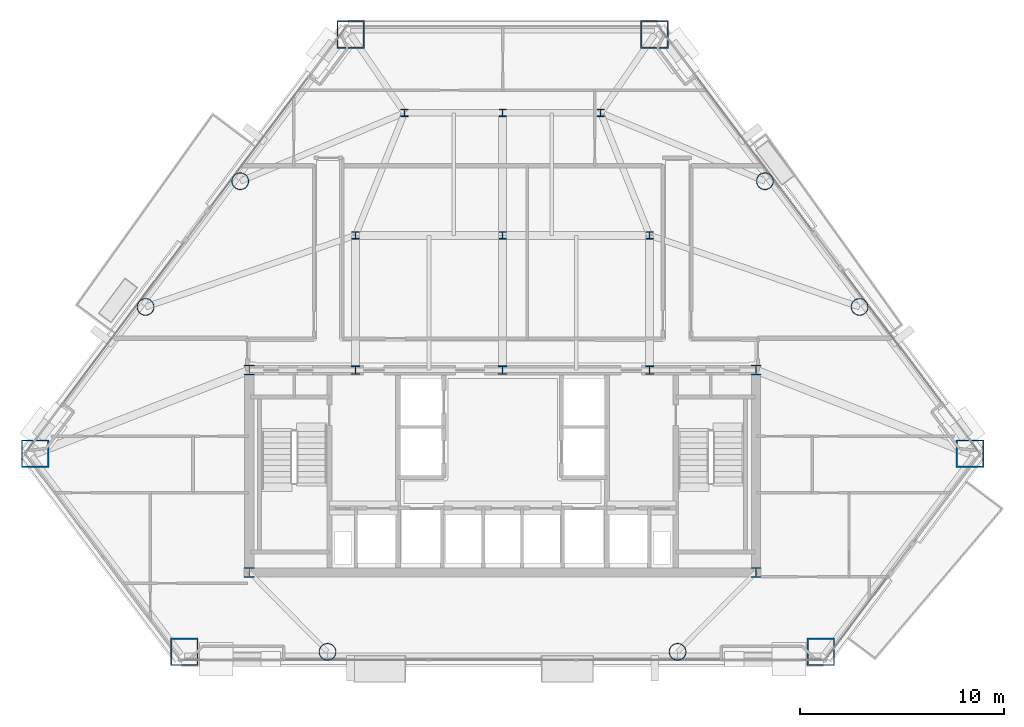
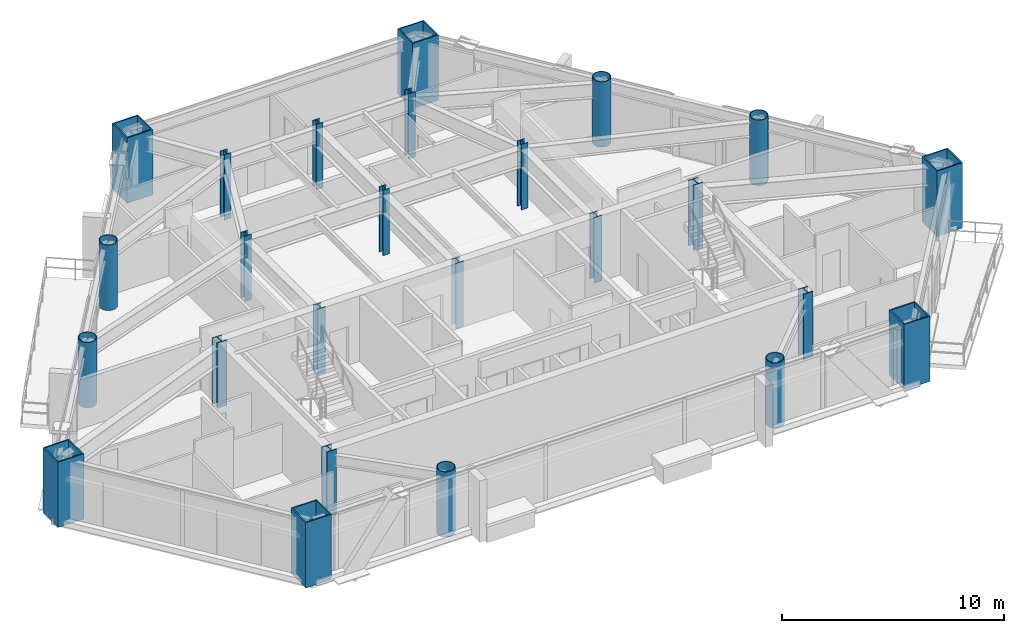
# One storey, part 1 of 14: 25 columns.
"""IFC4 building model written with IfcOpenShell, lengths in metres."""

from ifc_helpers import new_model, si_unit, direction, frame, origin, origin_2d, place, context, subcontext, project, spatial, hollow_rectangle, hollow_circle, i_section, extrude, material, material_profile, profile_set, type_object, element, save


model = new_model("IFC4")

# Units and contexts
model_context = context("Model", 3, precision=1e-05, world=origin(), true_north=direction((0.0, 1.0)))
body_context = subcontext(model_context, "Body", "Model", "MODEL_VIEW")
ifc_project = project(units=[si_unit("LENGTHUNIT", "METRE"), si_unit("AREAUNIT", "SQUARE_METRE"), si_unit("VOLUMEUNIT", "CUBIC_METRE"), si_unit("PLANEANGLEUNIT", "RADIAN"), si_unit("MASSUNIT", "GRAM", prefix="KILO")], contexts=[model_context])

# Site, building, storey
site_placement = place(None, origin())
site = spatial("IfcSite", under=ifc_project, at=site_placement, CompositionType="ELEMENT")
building_placement = place(site_placement, origin())
building = spatial("IfcBuilding", under=site, at=building_placement, Name="Talgorran Terracotta Tower", CompositionType="ELEMENT")
storey_placement = place(building_placement, frame((0.0, 0.0, 56.699951171875)))
storey = spatial("IfcBuildingStorey", under=building, at=storey_placement, Name="L14", CompositionType="ELEMENT", Elevation=56.699951171875)

# Columns
ifc_material_1 = material(Name="Steel S355 (300PLUS)", Category="steel")
ifc_material_profile_1 = material_profile(ifc_material_1, i_section(OverallWidth=0.35009765625, OverallDepth=0.366943359375, WebThickness=0.02490234375, FlangeThickness=0.031982421875, at=origin_2d()), Name="350WC258")
ifc_profile_set_1 = profile_set([ifc_material_profile_1], Name="Steel S355 (300PLUS)")
column_type_1 = type_object("IfcColumnType", Name="COL_350WC258", PredefinedType="COLUMN", material=ifc_profile_set_1)
for number, where, z_axis, x_axis, name in (
    (1, (-7.199951171875, 2.39990234375, 0.0), (0.0, 0.0, 1.0), (1.0, 0.0, 0.0), "L14 Interior Gravity Column IC1"),
    (2, (0.0, 2.39990234375, 0.0), (0.0, 0.0, 1.0), (1.0, 0.0, 0.0), "L14 Interior Gravity Column IC2"),
    (3, (7.199951171875, 2.39990234375, 0.0), (0.0, 0.0, 1.0), (1.0, 0.0, 0.0), "L14 Interior Gravity Column IC3"),
    (4, (-4.800048828125, 8.39990234375, 0.0), (0.0, 0.0, 1.0), (1.0, 0.0, 0.0), "L14 Interior Gravity Column IC4"),
    (5, (0.0, 8.39990234375, 0.0), (0.0, 0.0, 1.0), (1.0, 0.0, 0.0), "L14 Interior Gravity Column IC5"),
    (6, (4.800048828125, 8.39990234375, 0.0), (0.0, 0.0, 1.0), (1.0, 0.0, 0.0), "L14 Interior Gravity Column IC6"),
):
    element("IfcColumn", number, at=place(storey_placement, frame(where, z_axis=z_axis, x_axis=x_axis)), inside=storey, type_object=column_type_1, Name=name, PredefinedType="COLUMN", context=body_context, shape_type="SweptSolid", body=[
        extrude(i_section(OverallWidth=0.35009765625, OverallDepth=0.366943359375, WebThickness=0.02490234375, FlangeThickness=0.031982421875, at=origin_2d()), origin(), (0.0, 0.0, 1.0), 3.60009765625),
    ])
ifc_material_profile_2 = material_profile(ifc_material_1, i_section(OverallWidth=0.5, OverallDepth=0.48193359375, WebThickness=0.0400390625, FlangeThickness=0.044921875, at=origin_2d()), Name="500WC440")
ifc_profile_set_2 = profile_set([ifc_material_profile_2], Name="Steel S355 (300PLUS)")
column_type_2 = type_object("IfcColumnType", Name="COL_500WC440", PredefinedType="COLUMN", material=ifc_profile_set_2)
for number, where, z_axis, x_axis, name in (
    (7, (-12.39990234375, -14.10009765625, 0.0), (0.0, 0.0, 1.0), (1.0, 0.0, 0.0), "L14 Core Boundary Column CC1"),
    (8, (12.39990234375, -14.10009765625, 0.0), (0.0, 0.0, 1.0), (1.0, 0.0, 0.0), "L14 Core Boundary Column CC2"),
    (9, (12.39990234375, -4.199951171875, 0.0), (0.0, 0.0, 1.0), (1.0, 0.0, 0.0), "L14 Core Boundary Column CC3"),
    (10, (-12.39990234375, -4.199951171875, 0.0), (0.0, 0.0, 1.0), (1.0, 0.0, 0.0), "L14 Core Boundary Column CC4"),
):
    element("IfcColumn", number, at=place(storey_placement, frame(where, z_axis=z_axis, x_axis=x_axis)), inside=storey, type_object=column_type_2, Name=name, PredefinedType="COLUMN", context=body_context, shape_type="SweptSolid", body=[
        extrude(i_section(OverallWidth=0.5, OverallDepth=0.48193359375, WebThickness=0.0400390625, FlangeThickness=0.044921875, at=origin_2d()), origin(), (0.0, 0.0, 1.0), 3.60009765625),
    ])
ifc_material_2 = material(Name="Steel Grade 350 (350L0)", Category="steel")
ifc_material_profile_3 = material_profile(ifc_material_2, hollow_rectangle(XDim=1.35009765625, YDim=1.35009765625, WallThickness=0.06494140625, at=origin_2d()), Name="CFT1350X1350X65")
ifc_profile_set_3 = profile_set([ifc_material_profile_3], Name="Steel Grade 350 (350L0)")
column_type_3 = type_object("IfcColumnType", Name="COL_CFT_1350", PredefinedType="COLUMN", material=ifc_profile_set_3)
for number, where, z_axis, x_axis, name in (
    (11, (-22.88525390625, -8.28662109375, 0.0), (0.0, 0.0, 1.0), (1.0, 0.0, 0.0), "L14 Corner CFT Mega-Column MC1"),
    (12, (-15.57958984375, -17.9912109375, 0.0), (0.0, 0.0, 1.0), (1.0, 0.0, 0.0), "L14 Corner CFT Mega-Column MC2"),
    (13, (15.57958984375, -17.9912109375, 0.0), (0.0, 0.0, 1.0), (1.0, 0.0, 0.0), "L14 Corner CFT Mega-Column MC3"),
    (14, (22.88525390625, -8.28662109375, 0.0), (0.0, 0.0, 1.0), (1.0, 0.0, 0.0), "L14 Corner CFT Mega-Column MC4"),
    (15, (7.437744140625, 12.2333984375, 0.0), (0.0, 0.0, 1.0), (1.0, 0.0, 0.0), "L14 Corner CFT Mega-Column MC5"),
    (16, (-7.437744140625, 12.2333984375, 0.0), (0.0, 0.0, 1.0), (1.0, 0.0, 0.0), "L14 Corner CFT Mega-Column MC6"),
):
    element("IfcColumn", number, at=place(storey_placement, frame(where, z_axis=z_axis, x_axis=x_axis)), inside=storey, type_object=column_type_3, Name=name, PredefinedType="COLUMN", context=body_context, shape_type="SweptSolid", body=[
        extrude(hollow_rectangle(XDim=1.35009765625, YDim=1.35009765625, WallThickness=0.06494140625, at=origin_2d()), origin(), (0.0, 0.0, 1.0), 3.60009765625),
    ])
ifc_material_profile_4 = material_profile(ifc_material_2, hollow_circle(Radius=0.425048828125, WallThickness=0.0380859375, at=origin_2d()), Name="CHS850X38")
ifc_profile_set_4 = profile_set([ifc_material_profile_4], Name="Steel Grade 350 (350L0)")
column_type_4 = type_object("IfcColumnType", Name="COL_CHS_850", PredefinedType="COLUMN", material=ifc_profile_set_4)
for number, where, z_axis, x_axis, name in (
    (17, (-8.56884765625, -17.9912109375, 0.0), (0.0, 0.0, 1.0), (1.0, 0.0, 0.0), "L14 Facet Perimeter Column FC1"),
    (18, (8.56884765625, -17.9912109375, 0.0), (0.0, 0.0, 1.0), (1.0, 0.0, 0.0), "L14 Facet Perimeter Column FC2"),
    (19, (17.478515625, -1.1044921875, 0.0), (0.0, 0.0, 1.0), (1.0, 0.0, 0.0), "L14 Facet Perimeter Column FC3"),
    (20, (12.844482421875, 5.05126953125, 0.0), (0.0, 0.0, 1.0), (1.0, 0.0, 0.0), "L14 Facet Perimeter Column FC4"),
    (21, (-12.844482421875, 5.05126953125, 0.0), (0.0, 0.0, 1.0), (1.0, 0.0, 0.0), "L14 Facet Perimeter Column FC5"),
    (22, (-17.478515625, -1.1044921875, 0.0), (0.0, 0.0, 1.0), (1.0, 0.0, 0.0), "L14 Facet Perimeter Column FC6"),
):
    element("IfcColumn", number, at=place(storey_placement, frame(where, z_axis=z_axis, x_axis=x_axis)), inside=storey, type_object=column_type_4, Name=name, PredefinedType="COLUMN", context=body_context, shape_type="SweptSolid", body=[
        extrude(hollow_circle(Radius=0.425048828125, WallThickness=0.0380859375, at=origin_2d()), origin(), (0.0, 0.0, 1.0), 3.60009765625),
    ])
ifc_material_profile_5 = material_profile(ifc_material_1, i_section(OverallWidth=0.405029296875, OverallDepth=0.4140625, WebThickness=0.02197265625, FlangeThickness=0.031982421875, at=origin_2d()), Name="400WC270")
ifc_profile_set_5 = profile_set([ifc_material_profile_5], Name="Steel S355 (300PLUS)")
column_type_5 = type_object("IfcColumnType", Name="COL_PIL_400WC270", PredefinedType="PILASTER", material=ifc_profile_set_5)
for number, where, z_axis, x_axis, name in (
    (23, (-7.199951171875, -4.199951171875, 0.0), (0.0, 0.0, 1.0), (1.0, 0.0, 0.0), "L14 Core Shear Pilaster CP1"),
    (24, (0.0, -4.199951171875, 0.0), (0.0, 0.0, 1.0), (1.0, 0.0, 0.0), "L14 Core Shear Pilaster CP2"),
    (25, (7.199951171875, -4.199951171875, 0.0), (0.0, 0.0, 1.0), (1.0, 0.0, 0.0), "L14 Core Shear Pilaster CP3"),
):
    element("IfcColumn", number, at=place(storey_placement, frame(where, z_axis=z_axis, x_axis=x_axis)), inside=storey, type_object=column_type_5, Name=name, PredefinedType="PILASTER", context=body_context, shape_type="SweptSolid", body=[
        extrude(i_section(OverallWidth=0.405029296875, OverallDepth=0.4140625, WebThickness=0.02197265625, FlangeThickness=0.031982421875, at=origin_2d()), origin(), (0.0, 0.0, 1.0), 3.60009765625),
    ])

save(model, "model.ifc")
